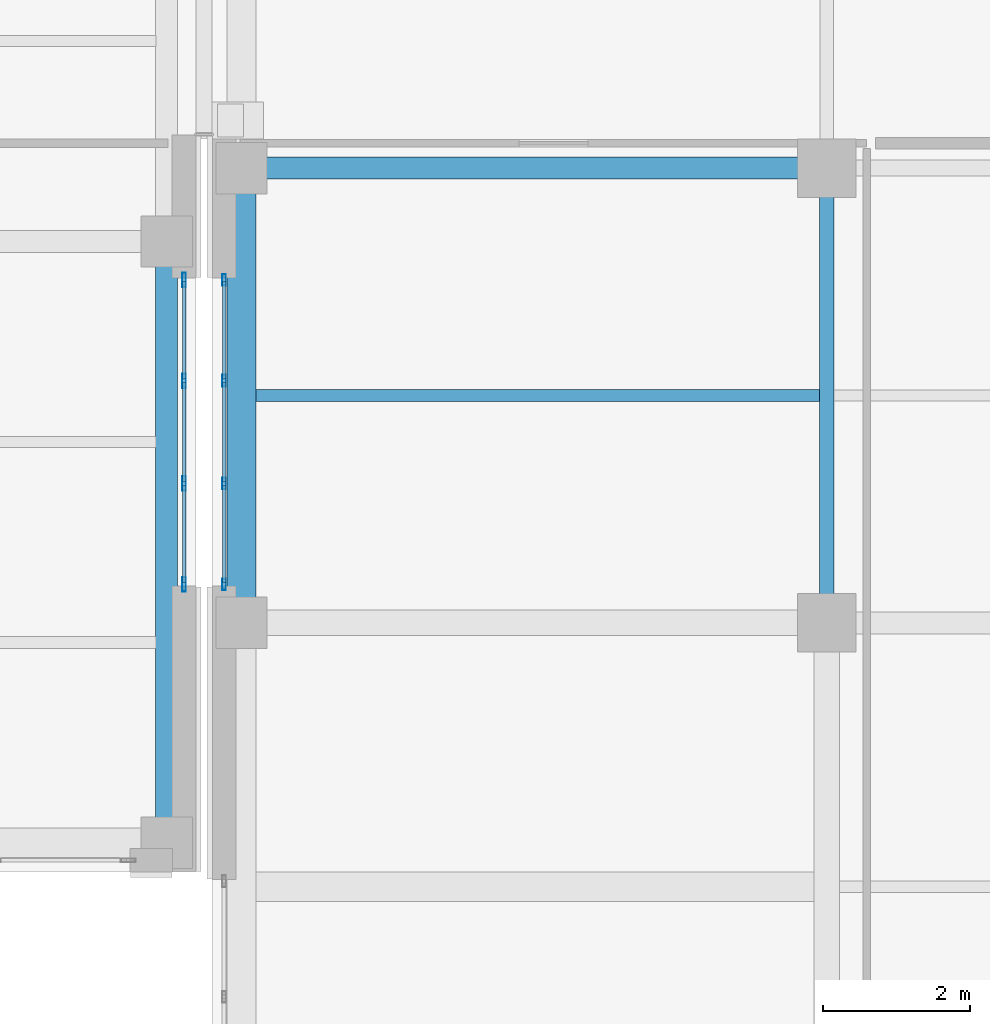
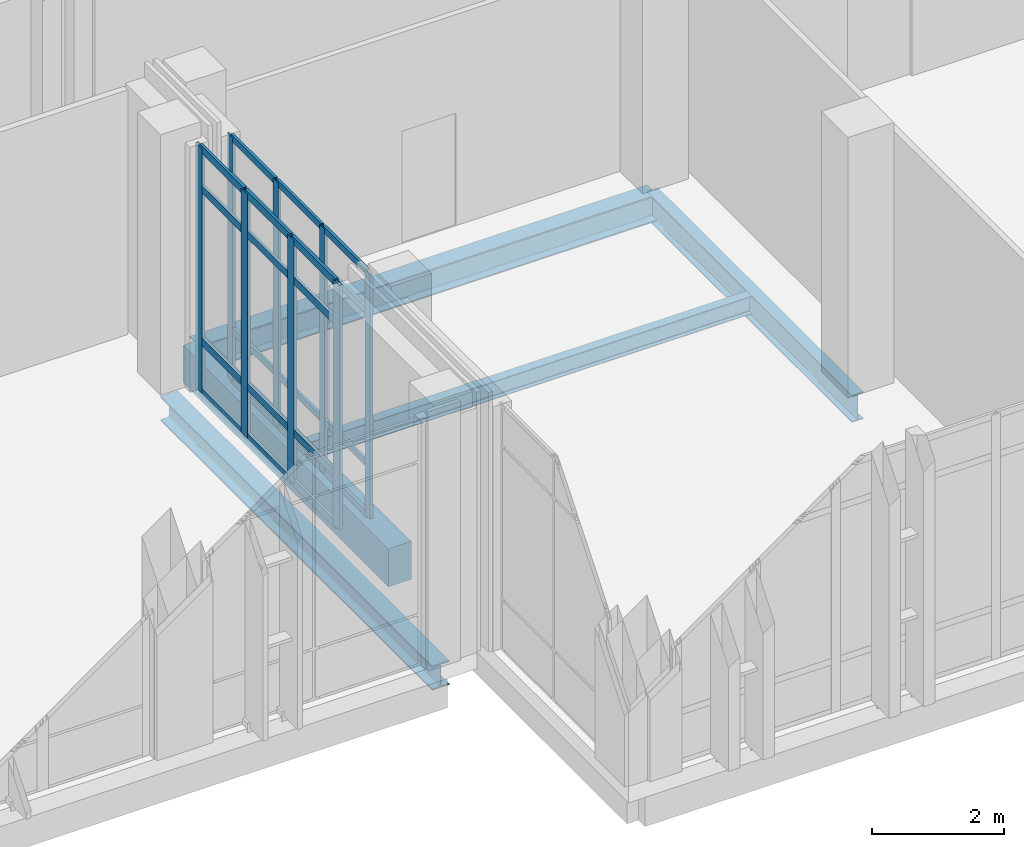
# One storey, part 45 of 189: 32 members, 5 beams, 2 elements without a shape of their own.
"""IFC4 building model written with IfcOpenShell, lengths in metres."""

from ifc_helpers import new_model, si_unit, direction, frame, origin, origin_2d, place, context, subcontext, project, spatial, rectangle, hollow_rectangle, i_section, extrude, material, layer, layer_set, material_profile, profile_set, type_object, element, aggregate, save


model = new_model("IFC4")

# Units and contexts
model_context = context("Model", 3, precision=1e-05, world=origin(), true_north=direction((0.0, 1.0)))
body_context = subcontext(model_context, "Body", "Model", "MODEL_VIEW")
ifc_project = project(units=[si_unit("LENGTHUNIT", "METRE"), si_unit("AREAUNIT", "SQUARE_METRE"), si_unit("VOLUMEUNIT", "CUBIC_METRE"), si_unit("PLANEANGLEUNIT", "RADIAN"), si_unit("MASSUNIT", "GRAM", prefix="KILO")], contexts=[model_context])

# Site, building, storey
site_placement = place(None, origin())
site = spatial("IfcSite", under=ifc_project, at=site_placement, CompositionType="ELEMENT")
building_placement = place(site_placement, origin())
building = spatial("IfcBuilding", under=site, at=building_placement, Name="Qalavern Law Courts", CompositionType="ELEMENT")
storey_placement = place(building_placement, frame((0.0, 0.0, 5.39990234375)))
storey = spatial("IfcBuildingStorey", under=building, at=storey_placement, Name="L01", CompositionType="ELEMENT", Elevation=5.39990234375)

# Curtain wall, members
ifc_material_1 = material(Name="Anodised aluminium and insulated glazing", Category="aluminium")
ifc_layer_1 = layer(ifc_material_1, 0.172119140625)
ifc_layer_set_1 = layer_set([ifc_layer_1], Name="Anodised aluminium and insulated glazing")
curtain_wall_type_1 = type_object("IfcCurtainWallType", Name="ENV-CW-COURT", PredefinedType="USERDEFINED", material=ifc_layer_set_1)
curtain_wall_1_placement = place(storey_placement, origin())
curtain_wall_1 = element("IfcCurtainWall", 1, at=curtain_wall_1_placement, inside=storey, type_object=curtain_wall_type_1, Name="V6 unitised curtain wall L01 west 1", ObjectType="UNITISED CURTAIN WALL", PredefinedType="USERDEFINED")
ifc_material_2 = material(Name="Anodised aluminium", Category="aluminium")
ifc_material_profile_1 = material_profile(ifc_material_2, hollow_rectangle(XDim=0.048095703125, YDim=0.159912109375, WallThickness=0.00390625, at=origin_2d()), Name="ALU MULLION 48x160")
ifc_profile_set_1 = profile_set([ifc_material_profile_1], Name="Anodised aluminium")
member_type_1 = type_object("IfcMemberType", Name="ENV-CWM-48x160", PredefinedType="MULLION", material=ifc_profile_set_1)
member_1_placement = place(storey_placement, frame((101.58251953125, 13.27587890625, 0.0), z_axis=(0.0, 0.0, 1.0), x_axis=(1.0, 0.0, 0.0)))
member_1 = element("IfcMember", 2, at=member_1_placement, type_object=member_type_1, Name="CW-03 mullion 1", PredefinedType="MULLION", context=body_context, shape_type="SweptSolid", body=[
    extrude(hollow_rectangle(XDim=0.048095703125, YDim=0.159912109375, WallThickness=0.00390625, at=origin_2d()), origin(), (0.0, 0.0, 1.0), 4.510009765625),
])
member_2_placement = place(storey_placement, frame((101.58251953125, 11.89990234375, 0.0), z_axis=(0.0, 0.0, 1.0), x_axis=(1.0, 0.0, 0.0)))
member_2 = element("IfcMember", 3, at=member_2_placement, type_object=member_type_1, Name="CW-03 mullion 2", PredefinedType="MULLION", context=body_context, shape_type="SweptSolid", body=[
    extrude(hollow_rectangle(XDim=0.048095703125, YDim=0.159912109375, WallThickness=0.00390625, at=origin_2d()), origin(), (0.0, 0.0, 1.0), 4.510009765625),
])
member_3_placement = place(storey_placement, frame((101.58251953125, 10.5, 0.0), z_axis=(0.0, 0.0, 1.0), x_axis=(1.0, 0.0, 0.0)))
member_3 = element("IfcMember", 4, at=member_3_placement, type_object=member_type_1, Name="CW-03 mullion 3", PredefinedType="MULLION", context=body_context, shape_type="SweptSolid", body=[
    extrude(hollow_rectangle(XDim=0.048095703125, YDim=0.159912109375, WallThickness=0.00390625, at=origin_2d()), origin(), (0.0, 0.0, 1.0), 4.510009765625),
])
member_4_placement = place(storey_placement, frame((101.58251953125, 9.1240234375, 0.0), z_axis=(0.0, 0.0, 1.0), x_axis=(1.0, 0.0, 0.0)))
member_4 = element("IfcMember", 5, at=member_4_placement, type_object=member_type_1, Name="CW-03 mullion 4", PredefinedType="MULLION", context=body_context, shape_type="SweptSolid", body=[
    extrude(hollow_rectangle(XDim=0.048095703125, YDim=0.159912109375, WallThickness=0.00390625, at=origin_2d()), origin(), (0.0, 0.0, 1.0), 4.510009765625),
])

ifc_layer_2 = layer(ifc_material_1, 0.18505859375)
ifc_layer_set_2 = layer_set([ifc_layer_2], Name="Anodised aluminium and insulated glazing")
curtain_wall_type_2 = type_object("IfcCurtainWallType", Name="ENV-CW-HALL", PredefinedType="USERDEFINED", material=ifc_layer_set_2)
curtain_wall_2_placement = place(storey_placement, origin())
curtain_wall_2 = element("IfcCurtainWall", 6, at=curtain_wall_2_placement, inside=storey, type_object=curtain_wall_type_2, Name="V2 unitised curtain wall L01 east 1", ObjectType="UNITISED CURTAIN WALL", PredefinedType="USERDEFINED")
ifc_material_profile_2 = material_profile(ifc_material_2, hollow_rectangle(XDim=0.048095703125, YDim=0.199951171875, WallThickness=0.00439453125, at=origin_2d()), Name="ALU MULLION 48x200")
ifc_profile_set_2 = profile_set([ifc_material_profile_2], Name="Anodised aluminium")
member_type_2 = type_object("IfcMemberType", Name="ENV-CWM-48x200", PredefinedType="MULLION", material=ifc_profile_set_2)
member_5_placement = place(storey_placement, frame((101.03759765625, 9.1240234375, 0.0), z_axis=(0.0, 0.0, 1.0), x_axis=(-1.0, 0.0, 0.0)))
member_5 = element("IfcMember", 7, at=member_5_placement, type_object=member_type_2, Name="CW-02 mullion 1", PredefinedType="MULLION", context=body_context, shape_type="SweptSolid", body=[
    extrude(hollow_rectangle(XDim=0.048095703125, YDim=0.199951171875, WallThickness=0.00439453125, at=origin_2d()), origin(), (0.0, 0.0, 1.0), 4.510009765625),
])
member_6_placement = place(storey_placement, frame((101.03759765625, 10.5, 0.0), z_axis=(0.0, 0.0, 1.0), x_axis=(-1.0, 0.0, 0.0)))
member_6 = element("IfcMember", 8, at=member_6_placement, type_object=member_type_2, Name="CW-02 mullion 2", PredefinedType="MULLION", context=body_context, shape_type="SweptSolid", body=[
    extrude(hollow_rectangle(XDim=0.048095703125, YDim=0.199951171875, WallThickness=0.00439453125, at=origin_2d()), origin(), (0.0, 0.0, 1.0), 4.510009765625),
])
member_7_placement = place(storey_placement, frame((101.03759765625, 11.89990234375, 0.0), z_axis=(0.0, 0.0, 1.0), x_axis=(-1.0, 0.0, 0.0)))
member_7 = element("IfcMember", 9, at=member_7_placement, type_object=member_type_2, Name="CW-02 mullion 3", PredefinedType="MULLION", context=body_context, shape_type="SweptSolid", body=[
    extrude(hollow_rectangle(XDim=0.048095703125, YDim=0.199951171875, WallThickness=0.00439453125, at=origin_2d()), origin(), (0.0, 0.0, 1.0), 4.510009765625),
])
member_8_placement = place(storey_placement, frame((101.03759765625, 13.27587890625, 0.0), z_axis=(0.0, 0.0, 1.0), x_axis=(-1.0, 0.0, 0.0)))
member_8 = element("IfcMember", 10, at=member_8_placement, type_object=member_type_2, Name="CW-02 mullion 4", PredefinedType="MULLION", context=body_context, shape_type="SweptSolid", body=[
    extrude(hollow_rectangle(XDim=0.048095703125, YDim=0.199951171875, WallThickness=0.00439453125, at=origin_2d()), origin(), (0.0, 0.0, 1.0), 4.510009765625),
])

# Member
ifc_material_profile_3 = material_profile(ifc_material_2, hollow_rectangle(XDim=0.048095703125, YDim=0.1201171875, WallThickness=0.00390625, at=origin_2d()), Name="ALU TRANSOM 48x120")
ifc_profile_set_3 = profile_set([ifc_material_profile_3], Name="Anodised aluminium")
member_type_3 = type_object("IfcMemberType", Name="ENV-CWT-48x120", PredefinedType="USERDEFINED", material=ifc_profile_set_3)
member_9_placement = place(storey_placement, frame((101.58251953125, 13.251953125, 0.024169921875), z_axis=(0.0, -1.0, 0.0), x_axis=(1.0, 0.0, 0.0)))
member_9 = element("IfcMember", 11, at=member_9_placement, type_object=member_type_3, Name="CW-03 transom 1.1", ObjectType="TRANSOM", PredefinedType="USERDEFINED", context=body_context, shape_type="SweptSolid", body=[
    extrude(hollow_rectangle(XDim=0.048095703125, YDim=0.1201171875, WallThickness=0.00390625, at=origin_2d()), origin(), (0.0, 0.0, 1.0), 1.327880859375),
])

member_10_placement = place(storey_placement, frame((101.58251953125, 13.251953125, 0.9501953125), z_axis=(0.0, -1.0, 0.0), x_axis=(1.0, 0.0, 0.0)))
member_10 = element("IfcMember", 12, at=member_10_placement, type_object=member_type_3, Name="CW-03 transom 1.2", ObjectType="TRANSOM", PredefinedType="USERDEFINED", context=body_context, shape_type="SweptSolid", body=[
    extrude(hollow_rectangle(XDim=0.048095703125, YDim=0.1201171875, WallThickness=0.00390625, at=origin_2d()), origin(), (0.0, 0.0, 1.0), 1.327880859375),
])

member_11_placement = place(storey_placement, frame((101.58251953125, 13.251953125, 3.760009765625), z_axis=(0.0, -1.0, 0.0), x_axis=(1.0, 0.0, 0.0)))
member_11 = element("IfcMember", 13, at=member_11_placement, type_object=member_type_3, Name="CW-03 transom 1.3", ObjectType="TRANSOM", PredefinedType="USERDEFINED", context=body_context, shape_type="SweptSolid", body=[
    extrude(hollow_rectangle(XDim=0.048095703125, YDim=0.1201171875, WallThickness=0.00390625, at=origin_2d()), origin(), (0.0, 0.0, 1.0), 1.327880859375),
])

member_12_placement = place(storey_placement, frame((101.58251953125, 13.251953125, 4.486083984375), z_axis=(0.0, -1.0, 0.0), x_axis=(1.0, 0.0, 0.0)))
member_12 = element("IfcMember", 14, at=member_12_placement, type_object=member_type_3, Name="CW-03 transom 1.4", ObjectType="TRANSOM", PredefinedType="USERDEFINED", context=body_context, shape_type="SweptSolid", body=[
    extrude(hollow_rectangle(XDim=0.048095703125, YDim=0.1201171875, WallThickness=0.00390625, at=origin_2d()), origin(), (0.0, 0.0, 1.0), 1.327880859375),
])

member_13_placement = place(storey_placement, frame((101.58251953125, 11.8759765625, 0.024169921875), z_axis=(0.0, -1.0, 0.0), x_axis=(1.0, 0.0, 0.0)))
member_13 = element("IfcMember", 15, at=member_13_placement, type_object=member_type_3, Name="CW-03 transom 2.1", ObjectType="TRANSOM", PredefinedType="USERDEFINED", context=body_context, shape_type="SweptSolid", body=[
    extrude(hollow_rectangle(XDim=0.048095703125, YDim=0.1201171875, WallThickness=0.00390625, at=origin_2d()), origin(), (0.0, 0.0, 1.0), 1.35205078125),
])

member_14_placement = place(storey_placement, frame((101.58251953125, 11.8759765625, 0.9501953125), z_axis=(0.0, -1.0, 0.0), x_axis=(1.0, 0.0, 0.0)))
member_14 = element("IfcMember", 16, at=member_14_placement, type_object=member_type_3, Name="CW-03 transom 2.2", ObjectType="TRANSOM", PredefinedType="USERDEFINED", context=body_context, shape_type="SweptSolid", body=[
    extrude(hollow_rectangle(XDim=0.048095703125, YDim=0.1201171875, WallThickness=0.00390625, at=origin_2d()), origin(), (0.0, 0.0, 1.0), 1.35205078125),
])

member_15_placement = place(storey_placement, frame((101.58251953125, 11.8759765625, 3.760009765625), z_axis=(0.0, -1.0, 0.0), x_axis=(1.0, 0.0, 0.0)))
member_15 = element("IfcMember", 17, at=member_15_placement, type_object=member_type_3, Name="CW-03 transom 2.3", ObjectType="TRANSOM", PredefinedType="USERDEFINED", context=body_context, shape_type="SweptSolid", body=[
    extrude(hollow_rectangle(XDim=0.048095703125, YDim=0.1201171875, WallThickness=0.00390625, at=origin_2d()), origin(), (0.0, 0.0, 1.0), 1.35205078125),
])

member_16_placement = place(storey_placement, frame((101.58251953125, 11.8759765625, 4.486083984375), z_axis=(0.0, -1.0, 0.0), x_axis=(1.0, 0.0, 0.0)))
member_16 = element("IfcMember", 18, at=member_16_placement, type_object=member_type_3, Name="CW-03 transom 2.4", ObjectType="TRANSOM", PredefinedType="USERDEFINED", context=body_context, shape_type="SweptSolid", body=[
    extrude(hollow_rectangle(XDim=0.048095703125, YDim=0.1201171875, WallThickness=0.00390625, at=origin_2d()), origin(), (0.0, 0.0, 1.0), 1.35205078125),
])

member_17_placement = place(storey_placement, frame((101.58251953125, 10.47607421875, 0.024169921875), z_axis=(0.0, -1.0, 0.0), x_axis=(1.0, 0.0, 0.0)))
member_17 = element("IfcMember", 19, at=member_17_placement, type_object=member_type_3, Name="CW-03 transom 3.1", ObjectType="TRANSOM", PredefinedType="USERDEFINED", context=body_context, shape_type="SweptSolid", body=[
    extrude(hollow_rectangle(XDim=0.048095703125, YDim=0.1201171875, WallThickness=0.00390625, at=origin_2d()), origin(), (0.0, 0.0, 1.0), 1.328125),
])

member_18_placement = place(storey_placement, frame((101.58251953125, 10.47607421875, 0.9501953125), z_axis=(0.0, -1.0, 0.0), x_axis=(1.0, 0.0, 0.0)))
member_18 = element("IfcMember", 20, at=member_18_placement, type_object=member_type_3, Name="CW-03 transom 3.2", ObjectType="TRANSOM", PredefinedType="USERDEFINED", context=body_context, shape_type="SweptSolid", body=[
    extrude(hollow_rectangle(XDim=0.048095703125, YDim=0.1201171875, WallThickness=0.00390625, at=origin_2d()), origin(), (0.0, 0.0, 1.0), 1.328125),
])

member_19_placement = place(storey_placement, frame((101.58251953125, 10.47607421875, 3.760009765625), z_axis=(0.0, -1.0, 0.0), x_axis=(1.0, 0.0, 0.0)))
member_19 = element("IfcMember", 21, at=member_19_placement, type_object=member_type_3, Name="CW-03 transom 3.3", ObjectType="TRANSOM", PredefinedType="USERDEFINED", context=body_context, shape_type="SweptSolid", body=[
    extrude(hollow_rectangle(XDim=0.048095703125, YDim=0.1201171875, WallThickness=0.00390625, at=origin_2d()), origin(), (0.0, 0.0, 1.0), 1.328125),
])

member_20_placement = place(storey_placement, frame((101.58251953125, 10.47607421875, 4.486083984375), z_axis=(0.0, -1.0, 0.0), x_axis=(1.0, 0.0, 0.0)))
member_20 = element("IfcMember", 22, at=member_20_placement, type_object=member_type_3, Name="CW-03 transom 3.4", ObjectType="TRANSOM", PredefinedType="USERDEFINED", context=body_context, shape_type="SweptSolid", body=[
    extrude(hollow_rectangle(XDim=0.048095703125, YDim=0.1201171875, WallThickness=0.00390625, at=origin_2d()), origin(), (0.0, 0.0, 1.0), 1.328125),
])

aggregate(curtain_wall_1, [member_1, member_2, member_3, member_4, member_9, member_10, member_11, member_12, member_13, member_14, member_15, member_16, member_17, member_18, member_19, member_20])

ifc_material_profile_4 = material_profile(ifc_material_2, hollow_rectangle(XDim=0.048095703125, YDim=0.139892578125, WallThickness=0.00390625, at=origin_2d()), Name="ALU TRANSOM 48x140")
ifc_profile_set_4 = profile_set([ifc_material_profile_4], Name="Anodised aluminium")
member_type_4 = type_object("IfcMemberType", Name="ENV-CWT-48x140", PredefinedType="USERDEFINED", material=ifc_profile_set_4)
member_21_placement = place(storey_placement, frame((101.03759765625, 9.14794921875, 0.024169921875), z_axis=(0.0, 1.0, 0.0), x_axis=(-1.0, 0.0, 0.0)))
member_21 = element("IfcMember", 23, at=member_21_placement, type_object=member_type_4, Name="CW-02 transom 1.1", ObjectType="TRANSOM", PredefinedType="USERDEFINED", context=body_context, shape_type="SweptSolid", body=[
    extrude(hollow_rectangle(XDim=0.048095703125, YDim=0.139892578125, WallThickness=0.00390625, at=origin_2d()), origin(), (0.0, 0.0, 1.0), 1.328125),
])

member_22_placement = place(storey_placement, frame((101.03759765625, 9.14794921875, 0.9501953125), z_axis=(0.0, 1.0, 0.0), x_axis=(-1.0, 0.0, 0.0)))
member_22 = element("IfcMember", 24, at=member_22_placement, type_object=member_type_4, Name="CW-02 transom 1.2", ObjectType="TRANSOM", PredefinedType="USERDEFINED", context=body_context, shape_type="SweptSolid", body=[
    extrude(hollow_rectangle(XDim=0.048095703125, YDim=0.139892578125, WallThickness=0.00390625, at=origin_2d()), origin(), (0.0, 0.0, 1.0), 1.328125),
])

member_23_placement = place(storey_placement, frame((101.03759765625, 9.14794921875, 3.760009765625), z_axis=(0.0, 1.0, 0.0), x_axis=(-1.0, 0.0, 0.0)))
member_23 = element("IfcMember", 25, at=member_23_placement, type_object=member_type_4, Name="CW-02 transom 1.3", ObjectType="TRANSOM", PredefinedType="USERDEFINED", context=body_context, shape_type="SweptSolid", body=[
    extrude(hollow_rectangle(XDim=0.048095703125, YDim=0.139892578125, WallThickness=0.00390625, at=origin_2d()), origin(), (0.0, 0.0, 1.0), 1.328125),
])

member_24_placement = place(storey_placement, frame((101.03759765625, 9.14794921875, 4.486083984375), z_axis=(0.0, 1.0, 0.0), x_axis=(-1.0, 0.0, 0.0)))
member_24 = element("IfcMember", 26, at=member_24_placement, type_object=member_type_4, Name="CW-02 transom 1.4", ObjectType="TRANSOM", PredefinedType="USERDEFINED", context=body_context, shape_type="SweptSolid", body=[
    extrude(hollow_rectangle(XDim=0.048095703125, YDim=0.139892578125, WallThickness=0.00390625, at=origin_2d()), origin(), (0.0, 0.0, 1.0), 1.328125),
])

member_25_placement = place(storey_placement, frame((101.03759765625, 10.52392578125, 0.024169921875), z_axis=(0.0, 1.0, 0.0), x_axis=(-1.0, 0.0, 0.0)))
member_25 = element("IfcMember", 27, at=member_25_placement, type_object=member_type_4, Name="CW-02 transom 2.1", ObjectType="TRANSOM", PredefinedType="USERDEFINED", context=body_context, shape_type="SweptSolid", body=[
    extrude(hollow_rectangle(XDim=0.048095703125, YDim=0.139892578125, WallThickness=0.00390625, at=origin_2d()), origin(), (0.0, 0.0, 1.0), 1.35205078125),
])

member_26_placement = place(storey_placement, frame((101.03759765625, 10.52392578125, 0.9501953125), z_axis=(0.0, 1.0, 0.0), x_axis=(-1.0, 0.0, 0.0)))
member_26 = element("IfcMember", 28, at=member_26_placement, type_object=member_type_4, Name="CW-02 transom 2.2", ObjectType="TRANSOM", PredefinedType="USERDEFINED", context=body_context, shape_type="SweptSolid", body=[
    extrude(hollow_rectangle(XDim=0.048095703125, YDim=0.139892578125, WallThickness=0.00390625, at=origin_2d()), origin(), (0.0, 0.0, 1.0), 1.35205078125),
])

member_27_placement = place(storey_placement, frame((101.03759765625, 10.52392578125, 3.760009765625), z_axis=(0.0, 1.0, 0.0), x_axis=(-1.0, 0.0, 0.0)))
member_27 = element("IfcMember", 29, at=member_27_placement, type_object=member_type_4, Name="CW-02 transom 2.3", ObjectType="TRANSOM", PredefinedType="USERDEFINED", context=body_context, shape_type="SweptSolid", body=[
    extrude(hollow_rectangle(XDim=0.048095703125, YDim=0.139892578125, WallThickness=0.00390625, at=origin_2d()), origin(), (0.0, 0.0, 1.0), 1.35205078125),
])

member_28_placement = place(storey_placement, frame((101.03759765625, 10.52392578125, 4.486083984375), z_axis=(0.0, 1.0, 0.0), x_axis=(-1.0, 0.0, 0.0)))
member_28 = element("IfcMember", 30, at=member_28_placement, type_object=member_type_4, Name="CW-02 transom 2.4", ObjectType="TRANSOM", PredefinedType="USERDEFINED", context=body_context, shape_type="SweptSolid", body=[
    extrude(hollow_rectangle(XDim=0.048095703125, YDim=0.139892578125, WallThickness=0.00390625, at=origin_2d()), origin(), (0.0, 0.0, 1.0), 1.35205078125),
])

member_29_placement = place(storey_placement, frame((101.03759765625, 11.924072265625, 0.024169921875), z_axis=(0.0, 1.0, 0.0), x_axis=(-1.0, 0.0, 0.0)))
member_29 = element("IfcMember", 31, at=member_29_placement, type_object=member_type_4, Name="CW-02 transom 3.1", ObjectType="TRANSOM", PredefinedType="USERDEFINED", context=body_context, shape_type="SweptSolid", body=[
    extrude(hollow_rectangle(XDim=0.048095703125, YDim=0.139892578125, WallThickness=0.00390625, at=origin_2d()), origin(), (0.0, 0.0, 1.0), 1.327880859375),
])

member_30_placement = place(storey_placement, frame((101.03759765625, 11.924072265625, 0.9501953125), z_axis=(0.0, 1.0, 0.0), x_axis=(-1.0, 0.0, 0.0)))
member_30 = element("IfcMember", 32, at=member_30_placement, type_object=member_type_4, Name="CW-02 transom 3.2", ObjectType="TRANSOM", PredefinedType="USERDEFINED", context=body_context, shape_type="SweptSolid", body=[
    extrude(hollow_rectangle(XDim=0.048095703125, YDim=0.139892578125, WallThickness=0.00390625, at=origin_2d()), origin(), (0.0, 0.0, 1.0), 1.327880859375),
])

member_31_placement = place(storey_placement, frame((101.03759765625, 11.924072265625, 3.760009765625), z_axis=(0.0, 1.0, 0.0), x_axis=(-1.0, 0.0, 0.0)))
member_31 = element("IfcMember", 33, at=member_31_placement, type_object=member_type_4, Name="CW-02 transom 3.3", ObjectType="TRANSOM", PredefinedType="USERDEFINED", context=body_context, shape_type="SweptSolid", body=[
    extrude(hollow_rectangle(XDim=0.048095703125, YDim=0.139892578125, WallThickness=0.00390625, at=origin_2d()), origin(), (0.0, 0.0, 1.0), 1.327880859375),
])

member_32_placement = place(storey_placement, frame((101.03759765625, 11.924072265625, 4.486083984375), z_axis=(0.0, 1.0, 0.0), x_axis=(-1.0, 0.0, 0.0)))
member_32 = element("IfcMember", 34, at=member_32_placement, type_object=member_type_4, Name="CW-02 transom 3.4", ObjectType="TRANSOM", PredefinedType="USERDEFINED", context=body_context, shape_type="SweptSolid", body=[
    extrude(hollow_rectangle(XDim=0.048095703125, YDim=0.139892578125, WallThickness=0.00390625, at=origin_2d()), origin(), (0.0, 0.0, 1.0), 1.327880859375),
])

aggregate(curtain_wall_2, [member_5, member_6, member_7, member_8, member_21, member_22, member_23, member_24, member_25, member_26, member_27, member_28, member_29, member_30, member_31, member_32])

# Beams
ifc_material_3 = material(Name="Steel S355", Category="steel")
ifc_material_profile_5 = material_profile(ifc_material_3, i_section(OverallWidth=0.300048828125, OverallDepth=0.489990234375, WebThickness=0.011962890625, FlangeThickness=0.02294921875, FilletRadius=0.027099609375, at=origin_2d()), Name="HEA 500")
ifc_profile_set_5 = profile_set([ifc_material_profile_5], Name="Steel S355")
beam_type_1 = type_object("IfcBeamType", Name="STR-BM-HEA500", PredefinedType="BEAM", material=ifc_profile_set_5)
beam_1_placement = place(storey_placement, frame((101.820068359375, 14.800048828125, -0.544921875), z_axis=(1.0, 0.0, 0.0), x_axis=(0.0, 1.0, 0.0)))
element("IfcBeam", 35, at=beam_1_placement, inside=storey, type_object=beam_type_1, Name="V6 X-beam 3-1 L01", PredefinedType="BEAM", context=body_context, shape_type="SweptSolid", body=[
    extrude(i_section(OverallWidth=0.300048828125, OverallDepth=0.489990234375, WebThickness=0.011962890625, FlangeThickness=0.02294921875, FilletRadius=0.027099609375, at=origin_2d()), origin(), (0.0, 0.0, 1.0), 7.97998046875),
])
ifc_material_profile_6 = material_profile(ifc_material_3, i_section(OverallWidth=0.199951171875, OverallDepth=0.5, WebThickness=0.01025390625, FlangeThickness=0.01611328125, FilletRadius=0.02099609375, at=origin_2d()), Name="IPE 500")
ifc_profile_set_6 = profile_set([ifc_material_profile_6], Name="Steel S355")
beam_type_2 = type_object("IfcBeamType", Name="STR-BM-IPE500", PredefinedType="BEAM", material=ifc_profile_set_6)
beam_2_placement = place(storey_placement, frame((109.800048828125, 8.60009765625, -0.5498046875), z_axis=(0.0, 1.0, 0.0), x_axis=(-1.0, 0.0, 0.0)))
element("IfcBeam", 36, at=beam_2_placement, inside=storey, type_object=beam_type_2, Name="V6 Y-beam 2-2 L01", PredefinedType="BEAM", context=body_context, shape_type="SweptSolid", body=[
    extrude(i_section(OverallWidth=0.199951171875, OverallDepth=0.5, WebThickness=0.01025390625, FlangeThickness=0.01611328125, FilletRadius=0.02099609375, at=origin_2d()), origin(), (0.0, 0.0, 1.0), 6.199951171875),
])
ifc_material_profile_7 = material_profile(ifc_material_3, i_section(OverallWidth=0.159912109375, OverallDepth=0.330078125, WebThickness=0.007568359375, FlangeThickness=0.011474609375, FilletRadius=0.01806640625, at=origin_2d()), Name="IPE 330")
ifc_profile_set_7 = profile_set([ifc_material_profile_7], Name="Steel S355")
beam_type_3 = type_object("IfcBeamType", Name="STR-JST-IPE330", PredefinedType="JOIST", material=ifc_profile_set_7)
beam_3_placement = place(storey_placement, frame((102.01806640625, 11.699951171875, -0.46484375), z_axis=(1.0, 0.0, 0.0), x_axis=(0.0, 1.0, 0.0)))
element("IfcBeam", 37, at=beam_3_placement, inside=storey, type_object=beam_type_3, Name="V6 secondary joist 1.2.1 L01", PredefinedType="JOIST", context=body_context, shape_type="SweptSolid", body=[
    extrude(i_section(OverallWidth=0.159912109375, OverallDepth=0.330078125, WebThickness=0.007568359375, FlangeThickness=0.011474609375, FilletRadius=0.01806640625, at=origin_2d()), origin(), (0.0, 0.0, 1.0), 7.683837890625),
])
ifc_material_profile_8 = material_profile(ifc_material_3, i_section(OverallWidth=0.300048828125, OverallDepth=0.449951171875, WebThickness=0.013916015625, FlangeThickness=0.02587890625, FilletRadius=0.027099609375, at=origin_2d()), Name="HEB 450")
ifc_profile_set_8 = profile_set([ifc_material_profile_8], Name="Steel S355")
beam_type_4 = type_object("IfcBeamType", Name="STR-SP-HEB450", PredefinedType="SPANDREL", material=ifc_profile_set_8)
beam_4_placement = place(storey_placement, frame((100.800048828125, 5.60009765625, -0.52490234375), z_axis=(0.0, 1.0, 0.0), x_axis=(-1.0, 0.0, 0.0)))
element("IfcBeam", 38, at=beam_4_placement, inside=storey, type_object=beam_type_4, Name="V2 Y-beam 8-1 L01", PredefinedType="SPANDREL", context=body_context, shape_type="SweptSolid", body=[
    extrude(i_section(OverallWidth=0.300048828125, OverallDepth=0.449951171875, WebThickness=0.013916015625, FlangeThickness=0.02587890625, FilletRadius=0.027099609375, at=origin_2d()), origin(), (0.0, 0.0, 1.0), 8.199951171875),
])
ifc_material_4 = material(Name="Concrete C40/50", Category="concrete")
ifc_material_profile_9 = material_profile(ifc_material_4, rectangle(XDim=0.39990234375, YDim=0.699951171875, at=origin_2d()), Name="RC 400x700")
ifc_profile_set_9 = profile_set([ifc_material_profile_9], Name="Concrete C40/50")
beam_type_5 = type_object("IfcBeamType", Name="STR-SP-RC400x700", PredefinedType="SPANDREL", material=ifc_profile_set_9)
beam_5_placement = place(storey_placement, frame((101.820068359375, 8.60009765625, -0.64990234375), z_axis=(0.0, 1.0, 0.0), x_axis=(-1.0, 0.0, 0.0)))
element("IfcBeam", 39, at=beam_5_placement, inside=storey, type_object=beam_type_5, Name="V6 Y-beam 1-2 L01", PredefinedType="SPANDREL", context=body_context, shape_type="SweptSolid", body=[
    extrude(rectangle(XDim=0.39990234375, YDim=0.699951171875, at=origin_2d()), origin(), (0.0, 0.0, 1.0), 6.199951171875),
])

save(model, "model.ifc")
